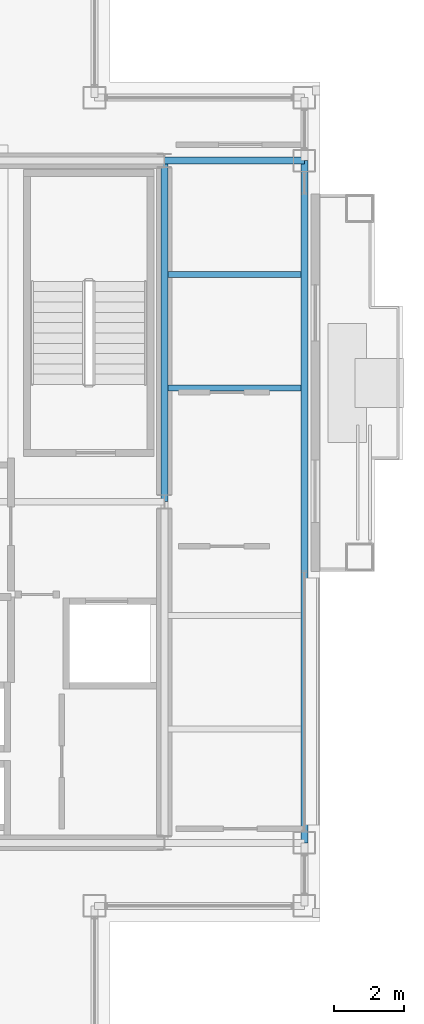
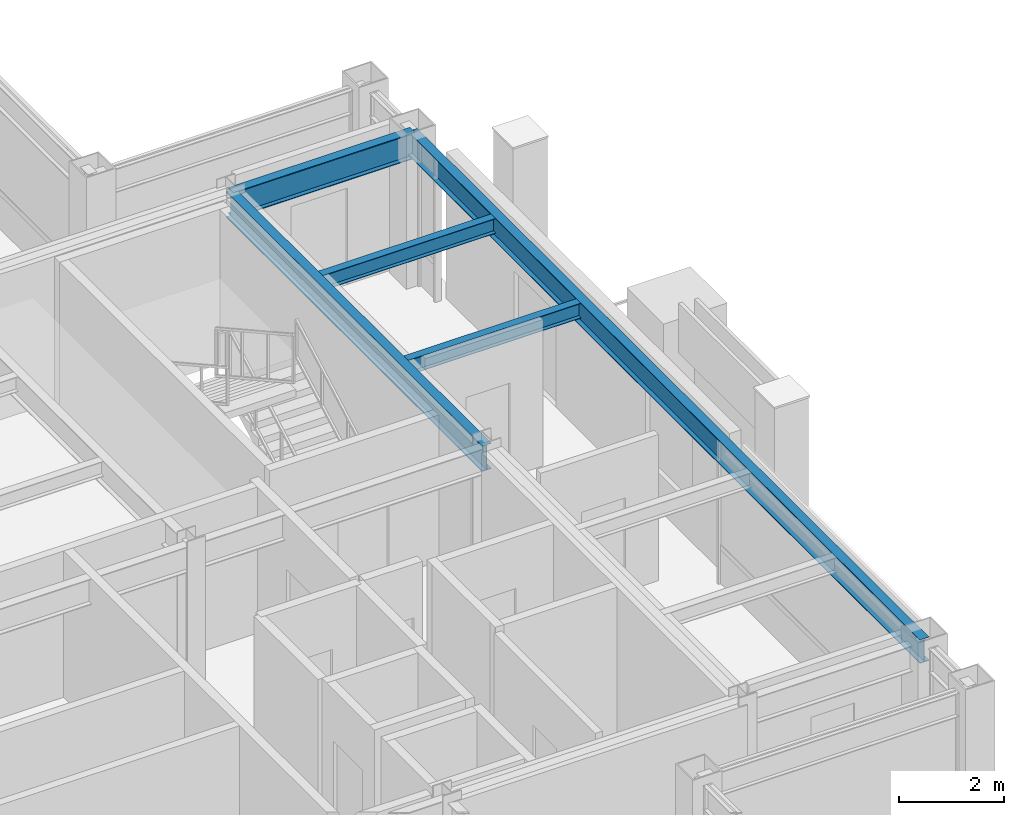
# One storey, part 17 of 30: 5 beams.
"""IFC4 building model written with IfcOpenShell, lengths in metres."""

from ifc_helpers import new_model, si_unit, direction, frame, origin, origin_2d, place, context, subcontext, project, spatial, i_section, extrude, material, material_profile, profile_set, type_object, element, save


model = new_model("IFC4")

# Units and contexts
model_context = context("Model", 3, precision=1e-05, world=origin(), true_north=direction((0.0, 1.0)))
body_context = subcontext(model_context, "Body", "Model", "MODEL_VIEW")
ifc_project = project(units=[si_unit("LENGTHUNIT", "METRE"), si_unit("AREAUNIT", "SQUARE_METRE"), si_unit("VOLUMEUNIT", "CUBIC_METRE"), si_unit("PLANEANGLEUNIT", "RADIAN"), si_unit("MASSUNIT", "GRAM", prefix="KILO")], contexts=[model_context])

# Site, building, storey
site_placement = place(None, origin())
site = spatial("IfcSite", under=ifc_project, at=site_placement, CompositionType="ELEMENT")
building_placement = place(site_placement, origin())
building = spatial("IfcBuilding", under=site, at=building_placement, Name="Brelmoor Portico Tower", CompositionType="ELEMENT")
storey_placement = place(building_placement, frame((0.0, 0.0, 236.39990234375)))
storey = spatial("IfcBuildingStorey", under=building, at=storey_placement, Name="L62", CompositionType="ELEMENT", Elevation=236.39990234375)

# Beams
ifc_material = material(Name="Steel Q355B", Category="steel")
ifc_material_profile_1 = material_profile(ifc_material, i_section(OverallWidth=0.175048828125, OverallDepth=0.35009765625, WebThickness=0.007080078125, FlangeThickness=0.010986328125, at=origin_2d()), Name="HN 350x175x7x11")
ifc_profile_set_1 = profile_set([ifc_material_profile_1], Name="Steel Q355B")
beam_type_1 = type_object("IfcBeamType", Name="BM-JS-350", PredefinedType="JOIST", material=ifc_profile_set_1)
for number, where, z_axis, x_axis, name in (
    (1, (14.64990234375, 3.25, 3.22509765625), (1.0, 0.0, 0.0), (0.0, 1.0, 0.0), "L62 Secondary Wing Joist JS-E13"),
    (2, (14.64990234375, 6.5, 3.22509765625), (1.0, 0.0, 0.0), (0.0, 1.0, 0.0), "L62 Secondary Wing Joist JS-E14"),
):
    element("IfcBeam", number, at=place(storey_placement, frame(where, z_axis=z_axis, x_axis=x_axis)), inside=storey, type_object=beam_type_1, Name=name, PredefinedType="JOIST", context=body_context, shape_type="SweptSolid", body=[
        extrude(i_section(OverallWidth=0.175048828125, OverallDepth=0.35009765625, WebThickness=0.007080078125, FlangeThickness=0.010986328125, at=origin_2d()), origin(), (0.0, 0.0, 1.0), 3.800048828125),
    ])
ifc_material_profile_2 = material_profile(ifc_material, i_section(OverallWidth=0.199951171875, OverallDepth=0.60009765625, WebThickness=0.010986328125, FlangeThickness=0.01708984375, at=origin_2d()), Name="HN 600x200x11x17")
ifc_profile_set_2 = profile_set([ifc_material_profile_2], Name="Steel Q355B")
beam_type_2 = type_object("IfcBeamType", Name="BM-PG-600", PredefinedType="BEAM", material=ifc_profile_set_2)
beam_1_placement = place(storey_placement, frame((14.550048828125, 0.0, 3.10009765625), z_axis=(0.0, 1.0, 0.0), x_axis=(-1.0, 0.0, 0.0)))
element("IfcBeam", 3, at=beam_1_placement, inside=storey, type_object=beam_type_2, Name="L62 Primary Floor Girder PG-10", PredefinedType="BEAM", context=body_context, shape_type="SweptSolid", body=[
    extrude(i_section(OverallWidth=0.199951171875, OverallDepth=0.60009765625, WebThickness=0.010986328125, FlangeThickness=0.01708984375, at=origin_2d()), origin(), (0.0, 0.0, 1.0), 9.75),
])
beam_2_placement = place(storey_placement, frame((14.550048828125, 9.75, 3.10009765625), z_axis=(1.0, 0.0, 0.0), x_axis=(0.0, 1.0, 0.0)))
element("IfcBeam", 4, at=beam_2_placement, inside=storey, type_object=beam_type_2, Name="L62 Primary Floor Girder PG-23", PredefinedType="BEAM", context=body_context, shape_type="SweptSolid", body=[
    extrude(i_section(OverallWidth=0.199951171875, OverallDepth=0.60009765625, WebThickness=0.010986328125, FlangeThickness=0.01708984375, at=origin_2d()), origin(), (0.0, 0.0, 1.0), 4.0),
])
ifc_material_profile_3 = material_profile(ifc_material, i_section(OverallWidth=0.199951171875, OverallDepth=0.550048828125, WebThickness=0.010009765625, FlangeThickness=0.01611328125, at=origin_2d()), Name="HN 550x200x10x16")
ifc_profile_set_3 = profile_set([ifc_material_profile_3], Name="Steel Q355B")
beam_type_3 = type_object("IfcBeamType", Name="BM-SP-550", PredefinedType="SPANDREL", material=ifc_profile_set_3)
beam_3_placement = place(storey_placement, frame((18.550048828125, -9.75, 3.125), z_axis=(0.0, 1.0, 0.0), x_axis=(-1.0, 0.0, 0.0)))
element("IfcBeam", 5, at=beam_3_placement, inside=storey, type_object=beam_type_3, Name="L62 Perimeter Spandrel Beam SP-19", PredefinedType="SPANDREL", context=body_context, shape_type="SweptSolid", body=[
    extrude(i_section(OverallWidth=0.199951171875, OverallDepth=0.550048828125, WebThickness=0.010009765625, FlangeThickness=0.01611328125, at=origin_2d()), origin(), (0.0, 0.0, 1.0), 19.5),
])

save(model, "model.ifc")
